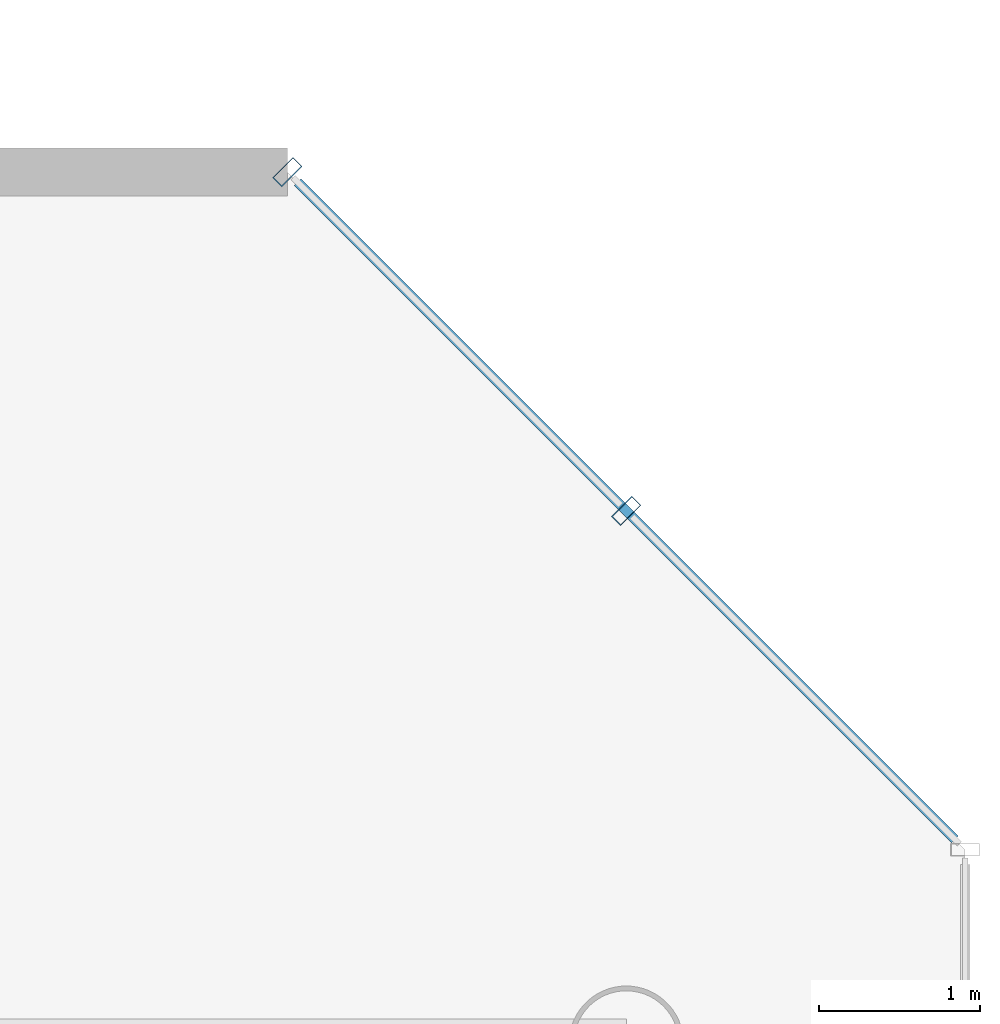
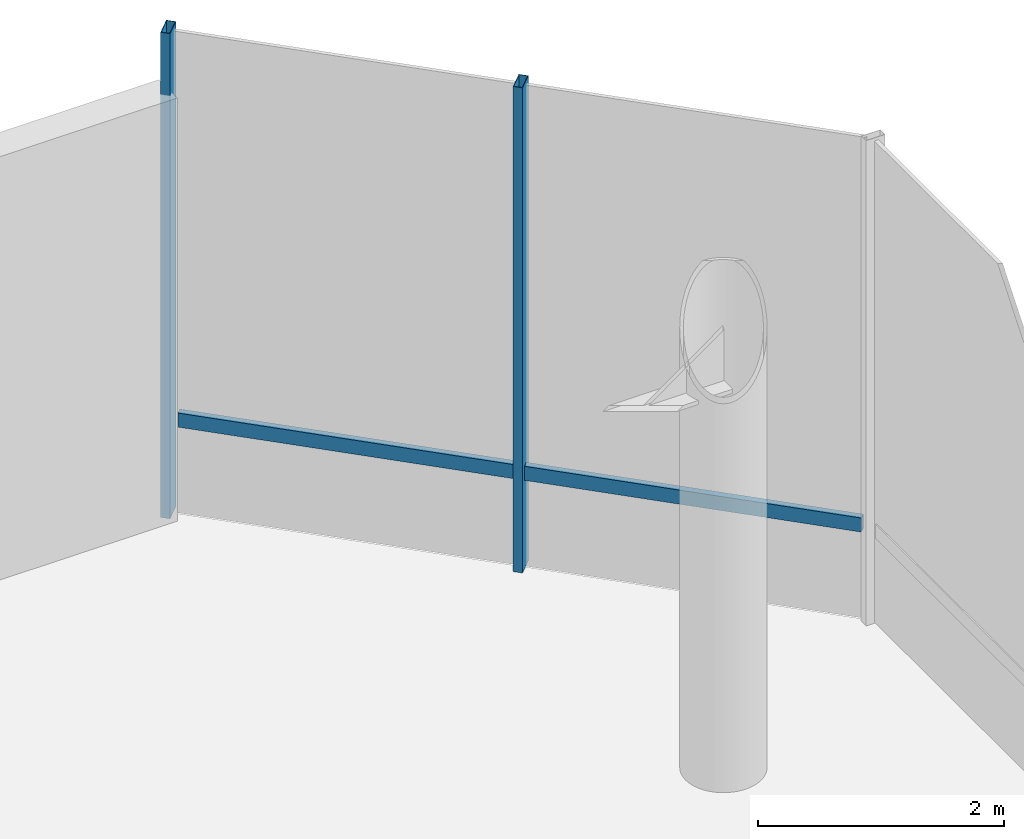
# One storey, part 20 of 31: 3 members, 1 element without a shape of its own.
"""IFC4 building model written with IfcOpenShell, lengths in metres."""

from ifc_helpers import new_model, si_unit, direction, frame, origin, origin_2d, place, context, subcontext, project, spatial, hollow_rectangle, extrude, material, layer, layer_set, material_profile, profile_set, type_object, element, aggregate, save


model = new_model("IFC4")

# Units and contexts
model_context = context("Model", 3, precision=1e-05, world=origin(), true_north=direction((0.0, 1.0)))
body_context = subcontext(model_context, "Body", "Model", "MODEL_VIEW")
ifc_project = project(units=[si_unit("LENGTHUNIT", "METRE"), si_unit("AREAUNIT", "SQUARE_METRE"), si_unit("VOLUMEUNIT", "CUBIC_METRE"), si_unit("PLANEANGLEUNIT", "RADIAN"), si_unit("MASSUNIT", "GRAM", prefix="KILO")], contexts=[model_context])

# Site, building, storey
site_placement = place(None, origin())
site = spatial("IfcSite", under=ifc_project, at=site_placement, CompositionType="ELEMENT")
building_placement = place(site_placement, origin())
building = spatial("IfcBuilding", under=site, at=building_placement, Name="Zarrinselat Tower", CompositionType="ELEMENT")
storey_placement = place(building_placement, origin())
storey = spatial("IfcBuildingStorey", under=building, at=storey_placement, Name="L00", CompositionType="ELEMENT", Elevation=0.0)

# Curtain wall, members
ifc_material_1 = material(Name="Extruded Aluminium Alloy EN AW-6063 T6", Category="aluminium")
ifc_layer = layer(ifc_material_1, 0.2099609375)
ifc_layer_set = layer_set([ifc_layer], Name="Extruded Aluminium Alloy EN AW-6063 T6")
curtain_wall_type = type_object("IfcCurtainWallType", Name="CWS-POD", PredefinedType="NOTDEFINED", material=ifc_layer_set)
curtain_wall_placement = place(storey_placement, origin())
curtain_wall = element("IfcCurtainWall", 1, at=curtain_wall_placement, inside=storey, type_object=curtain_wall_type, Name="L00 Unitised Curtain Wall CW-L00-E4", PredefinedType="NOTDEFINED")
ifc_material_2 = material(Name="Extruded Aluminium Alloy EN AW-6063 T6", Category="aluminium")
ifc_material_profile_1 = material_profile(ifc_material_2, hollow_rectangle(XDim=0.080078125, YDim=0.179931640625, WallThickness=0.0048828125, at=origin_2d()), Name="RHS 180x80x5")
ifc_profile_set_1 = profile_set([ifc_material_profile_1], Name="Extruded Aluminium Alloy EN AW-6063 T6")
member_type_1 = type_object("IfcMemberType", Name="MEM-CW-MUL", PredefinedType="MULLION", material=ifc_profile_set_1)
member_1_placement = place(storey_placement, frame((77.199951171875, 50.10009765625, 0.0), z_axis=(0.0, 0.0, 1.0), x_axis=(-0.707106781187, 0.707106781187, 0.0)))
member_1 = element("IfcMember", 2, at=member_1_placement, type_object=member_type_1, Name="CW-L00-E4 Mullion 1", PredefinedType="MULLION", context=body_context, shape_type="SweptSolid", body=[
    extrude(hollow_rectangle(XDim=0.080078125, YDim=0.179931640625, WallThickness=0.0048828125, at=origin_2d()), origin(), (0.0, 0.0, 1.0), 4.820068359375),
])
member_2_placement = place(storey_placement, frame((75.10009765625, 52.199951171875, 0.0), z_axis=(0.0, 0.0, 1.0), x_axis=(-0.707106781187, 0.707106781187, 0.0)))
member_2 = element("IfcMember", 3, at=member_2_placement, type_object=member_type_1, Name="CW-L00-E4 Mullion 2", PredefinedType="MULLION", context=body_context, shape_type="SweptSolid", body=[
    extrude(hollow_rectangle(XDim=0.080078125, YDim=0.179931640625, WallThickness=0.0048828125, at=origin_2d()), origin(), (0.0, 0.0, 1.0), 4.820068359375),
])
ifc_material_3 = material(Name="Extruded Aluminium Alloy EN AW-6063 T6", Category="aluminium")
ifc_material_profile_2 = material_profile(ifc_material_3, hollow_rectangle(XDim=0.06005859375, YDim=0.139892578125, WallThickness=0.00390625, at=origin_2d()), Name="RHS 140x60x4")
ifc_profile_set_2 = profile_set([ifc_material_profile_2], Name="Extruded Aluminium Alloy EN AW-6063 T6")
member_type_2 = type_object("IfcMemberType", Name="MEM-CW-TRN", PredefinedType="USERDEFINED", material=ifc_profile_set_2)
member_3_placement = place(storey_placement, frame((79.236328125, 48.063720703125, 0.949951171875), z_axis=(-0.707106781187, 0.707106781187, 0.0), x_axis=(-0.707106781187, -0.707106781187, 0.0)))
member_3 = element("IfcMember", 4, at=member_3_placement, type_object=member_type_2, Name="CW-L00-E4 Transom 1", ObjectType="TRANSOM", PredefinedType="USERDEFINED", context=body_context, shape_type="SweptSolid", body=[
    extrude(hollow_rectangle(XDim=0.06005859375, YDim=0.139892578125, WallThickness=0.00390625, at=origin_2d()), origin(), (0.0, 0.0, 1.0), 5.759765625),
])
aggregate(curtain_wall, [member_1, member_2, member_3])

save(model, "model.ifc")
